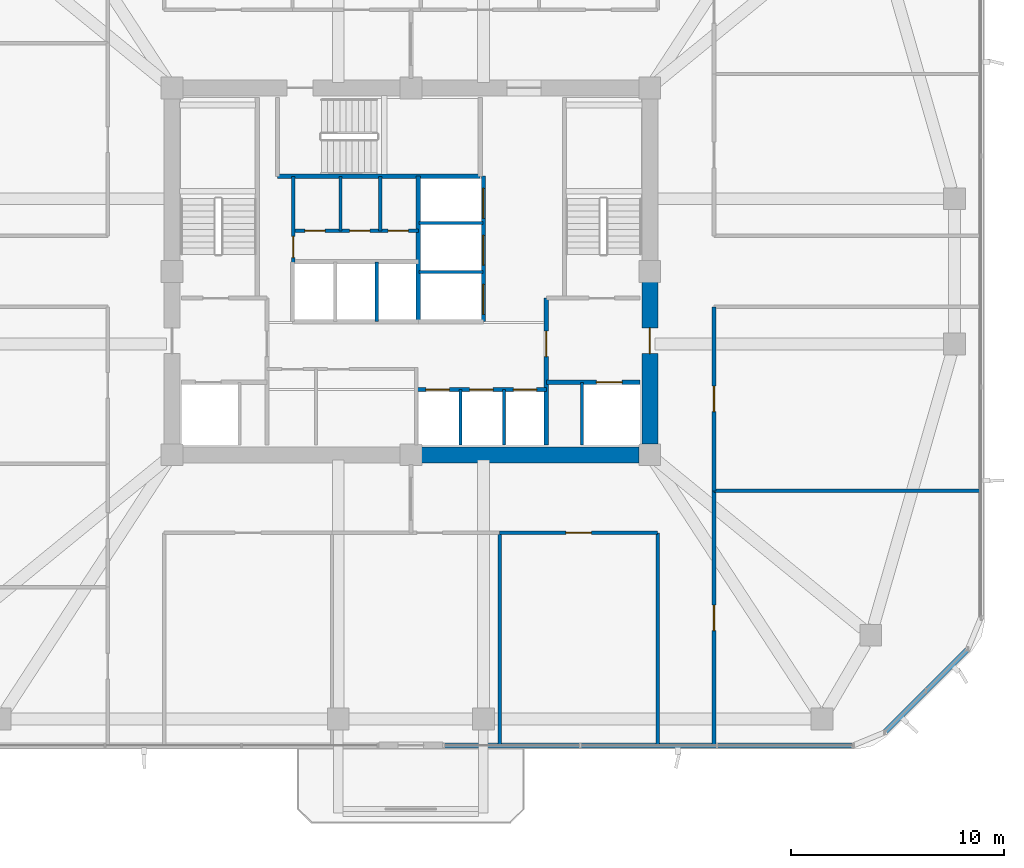
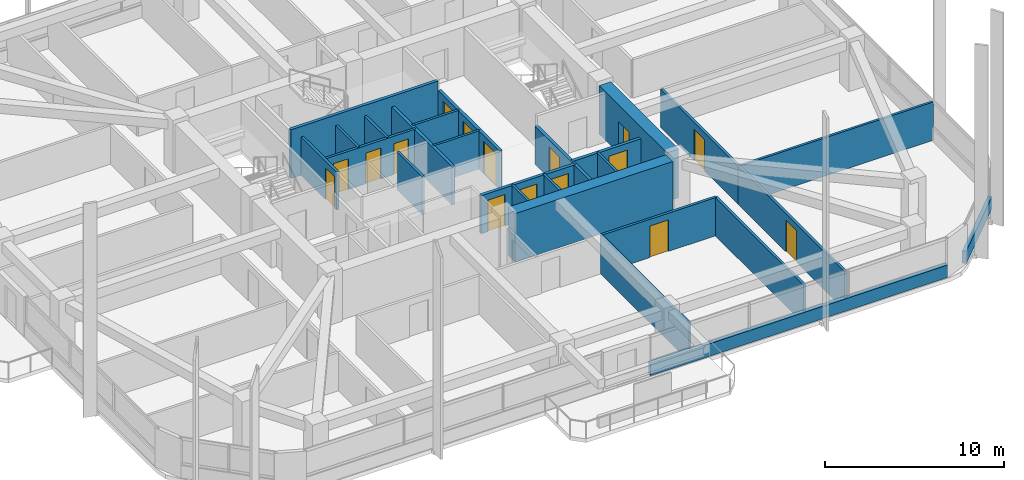
# One storey, part 9 of 15: 26 walls, 16 doors, 16 openings.
"""IFC4 building model written with IfcOpenShell, lengths in metres."""

from ifc_helpers import new_model, si_unit, derived_unit, direction, frame, frame_2d, origin, place, context, subcontext, project, spatial, rectangle, extrude, material, layer, layer_set, type_object, element, fill, save


model = new_model("IFC4")

# Units and contexts
model_context = context("Model", 3, precision=1e-05, world=origin(), true_north=direction((0.0, 1.0)))
body_context = subcontext(model_context, "Body", "Model", "MODEL_VIEW")
ifc_project = project(units=[si_unit("LENGTHUNIT", "METRE"), si_unit("AREAUNIT", "SQUARE_METRE"), si_unit("VOLUMEUNIT", "CUBIC_METRE"), si_unit("PLANEANGLEUNIT", "RADIAN"), si_unit("MASSUNIT", "GRAM", prefix="KILO"), derived_unit("THERMALTRANSMITTANCEUNIT", [(si_unit("POWERUNIT", "WATT"), 1), (si_unit("LENGTHUNIT", "METRE"), -2), (si_unit("THERMODYNAMICTEMPERATUREUNIT", "KELVIN"), -1)])], contexts=[model_context])

# Site, building, storey
site_placement = place(None, origin())
site = spatial("IfcSite", under=ifc_project, at=site_placement, CompositionType="ELEMENT")
building_placement = place(site_placement, origin())
building = spatial("IfcBuilding", under=site, at=building_placement, Name="Koralith Skygarden Medical Center", CompositionType="ELEMENT")
storey_placement = place(building_placement, frame((0.0, 0.0, 84.780029296875)))
storey = spatial("IfcBuildingStorey", under=building, at=storey_placement, Name="L21", CompositionType="ELEMENT", Elevation=84.780029296875)

# Walls
ifc_material_1 = material(Name="Gypsum Board Partition")
ifc_layer_1 = layer(ifc_material_1, 0.14990234375)
ifc_layer_set_1 = layer_set([ifc_layer_1], Name="Gypsum Board Partition")
wall_type_1 = type_object("IfcWallType", Name="Clinical Acoustic Partition 150", PredefinedType="PARTITIONING", material=ifc_layer_set_1)
for number, where, z_axis, x_axis, name in (
    (1, (33.699951171875, 27.800048828125, 0.0), (0.0, 0.0, 1.0), (0.0, 1.0, 0.0), "L21 Clinical Acoustic Partition 150 W-CORE-L21-FLEX-V2A"),
    (2, (35.56005859375, 27.800048828125, 0.0), (0.0, 0.0, 1.0), (0.0, 1.0, 0.0), "L21 Clinical Acoustic Partition 150 W-CORE-L21-FLEX-V2B"),
):
    element("IfcWall", number, at=place(storey_placement, frame(where, z_axis=z_axis, x_axis=x_axis)), inside=storey, type_object=wall_type_1, Name=name, PredefinedType="PARTITIONING", context=body_context, shape_type="SweptSolid", body=[
        extrude(rectangle(XDim=2.56005859375, YDim=0.14990234375, at=frame_2d((1.280029296875, 0.0))), origin(), (0.0, 0.0, 1.0), 2.60986328125),
    ])
wall_1_placement = place(storey_placement, frame((41.162109375, 13.639892578125, 0.0), z_axis=(0.0, 0.0, 1.0), x_axis=(0.0, -1.0, 0.0)))
element("IfcWall", 3, at=wall_1_placement, inside=storey, type_object=wall_type_1, Name="L21 Clinical Acoustic Partition 150 W-PART-L21-S-02", PredefinedType="PARTITIONING", context=body_context, shape_type="SweptSolid", body=[
    extrude(rectangle(XDim=9.93994140625, YDim=0.14990234375, at=frame_2d((4.969970703125, 0.0))), origin(), (0.0, 0.0, 1.0), 2.60986328125),
])
wall_2_placement = place(storey_placement, frame((51.2099609375, 15.613037109375, 0.0), z_axis=(0.0, 0.0, 1.0), x_axis=(1.0, 0.0, 0.0)))
element("IfcWall", 4, at=wall_2_placement, inside=storey, type_object=wall_type_1, Name="L21 Clinical Acoustic Partition 150 W-PART-L21-ES-01", PredefinedType="PARTITIONING", context=body_context, shape_type="SweptSolid", body=[
    extrude(rectangle(XDim=12.489990234375, YDim=0.14990234375, at=frame_2d((6.2451171875, 0.0))), origin(), (0.0, 0.0, 1.0), 2.60986328125),
])
ifc_layer_2 = layer(ifc_material_1, 0.1650390625)
ifc_layer_set_2 = layer_set([ifc_layer_2], Name="Gypsum Board Partition")
wall_type_2 = type_object("IfcWallType", Name="Clinical Corridor Partition 165", PredefinedType="PARTITIONING", material=ifc_layer_set_2)
wall_3_placement = place(storey_placement, frame((48.570068359375, 3.699951171875, 0.0), z_axis=(0.0, 0.0, 1.0), x_axis=(0.0, 1.0, 0.0)))
element("IfcWall", 5, at=wall_3_placement, inside=storey, type_object=wall_type_2, Name="L21 Clinical Corridor Partition 165 W-HCOR-L21-SE", PredefinedType="PARTITIONING", context=body_context, shape_type="SweptSolid", body=[
    extrude(rectangle(XDim=9.93994140625, YDim=0.1650390625, at=frame_2d((4.969970703125, 0.0))), origin(), (0.0, 0.0, 1.0), 2.60986328125),
])

# Wall, opening, door
wall_4_placement = place(storey_placement, frame((41.162109375, 13.639892578125, 0.0), z_axis=(0.0, 0.0, 1.0), x_axis=(1.0, 0.0, 0.0)))
wall_4 = element("IfcWall", 6, at=wall_4_placement, inside=storey, type_object=wall_type_2, Name="L21 Clinical Corridor Partition 165 W-CORR-L21-S-03", PredefinedType="PARTITIONING", context=body_context, shape_type="SweptSolid", body=[
    extrude(rectangle(XDim=7.407958984375, YDim=0.1650390625, at=frame_2d((3.7041015625, 0.0))), origin(), (0.0, 0.0, 1.0), 2.60986328125),
])
opening_1_placement = place(wall_4_placement, frame((3.10400390625, 0.0, 0.0)))
opening_1 = element("IfcOpeningElement", 7, at=opening_1_placement, cuts=wall_4, Name="Opening D-CLN", PredefinedType="OPENING", context=body_context, shape_type="SweptSolid", body=[
    extrude(rectangle(XDim=1.199951171875, YDim=2.14990234375, at=frame_2d((0.60009765625, 1.074951171875))), frame((0.0, 0.092529296875, 0.0), z_axis=(0.0, -1.0, 0.0), x_axis=(1.0, 0.0, 0.0)), (0.0, 0.0, 1.0), 0.18505859375),
])
ifc_material_2 = material(Name="Aluminium 6063-T6", Category="aluminium")
door_type_1 = type_object("IfcDoorType", Name="Clinical Corridor Door D-CLN 1200", OperationType="NOTDEFINED", PredefinedType="DOOR", material=ifc_material_2)
door_1_placement = place(opening_1_placement, frame((1.199951171875, 0.0, 0.0), z_axis=(0.0, 0.0, 1.0), x_axis=(-1.0, 0.0, 0.0)))
door_1 = element("IfcDoor", 8, at=door_1_placement, inside=storey, type_object=door_type_1, Name="L21 Clinical Case Conference Room 07 Door", OperationType="SINGLE_SWING_RIGHT", OverallHeight=2.14990234375, OverallWidth=1.199951171875, PredefinedType="DOOR", context=body_context, shape_type="SweptSolid", body=[
    extrude(rectangle(XDim=1.199951171875, YDim=2.14990234375, at=frame_2d((0.60009765625, 1.074951171875))), frame((0.0, 0.02490234375, 0.0), z_axis=(0.0, -1.0, 0.0), x_axis=(1.0, 0.0, 0.0)), (0.0, 0.0, 1.0), 0.050048828125),
])
fill(opening_1, door_1)

wall_5_placement = place(storey_placement, frame((51.2099609375, 3.699951171875, 0.0), z_axis=(0.0, 0.0, 1.0), x_axis=(0.0, 1.0, 0.0)))
wall_5 = element("IfcWall", 9, at=wall_5_placement, inside=storey, type_object=wall_type_2, Name="L21 Clinical Corridor Partition 165 W-CORR-L21-ES-01", PredefinedType="PARTITIONING", context=body_context, shape_type="SweptSolid", body=[
    extrude(rectangle(XDim=11.9130859375, YDim=0.1650390625, at=frame_2d((5.95654296875, 0.0))), origin(), (0.0, 0.0, 1.0), 2.60986328125),
])
opening_2_placement = place(wall_5_placement, frame((5.35693359375, 0.0, 0.0)))
opening_2 = element("IfcOpeningElement", 10, at=opening_2_placement, cuts=wall_5, Name="Opening D-CLN", PredefinedType="OPENING", context=body_context, shape_type="SweptSolid", body=[
    extrude(rectangle(XDim=1.199951171875, YDim=2.14990234375, at=frame_2d((0.60009765625, 1.074951171875))), frame((0.0, 0.092529296875, 0.0), z_axis=(0.0, -1.0, 0.0), x_axis=(1.0, 0.0, 0.0)), (0.0, 0.0, 1.0), 0.18505859375),
])
door_2_placement = place(opening_2_placement, origin())
door_2 = element("IfcDoor", 11, at=door_2_placement, inside=storey, type_object=door_type_1, Name="L21 Clinical Consultation Office 13 Door", OperationType="SINGLE_SWING_RIGHT", OverallHeight=2.14990234375, OverallWidth=1.199951171875, PredefinedType="DOOR", context=body_context, shape_type="SweptSolid", body=[
    extrude(rectangle(XDim=1.199951171875, YDim=2.14990234375, at=frame_2d((0.60009765625, 1.074951171875))), frame((0.0, 0.02490234375, 0.0), z_axis=(0.0, -1.0, 0.0), x_axis=(1.0, 0.0, 0.0)), (0.0, 0.0, 1.0), 0.050048828125),
])
fill(opening_2, door_2)

wall_6_placement = place(storey_placement, frame((51.2099609375, 15.613037109375, 0.0), z_axis=(0.0, 0.0, 1.0), x_axis=(0.0, 1.0, 0.0)))
wall_6 = element("IfcWall", 12, at=wall_6_placement, inside=storey, type_object=wall_type_2, Name="L21 Clinical Corridor Partition 165 W-CORR-L21-ES-02", PredefinedType="PARTITIONING", context=body_context, shape_type="SweptSolid", body=[
    extrude(rectangle(XDim=8.626953125, YDim=0.1650390625, at=frame_2d((4.3134765625, 0.0))), origin(), (0.0, 0.0, 1.0), 2.60986328125),
])
opening_3_placement = place(wall_6_placement, frame((3.712890625, 0.0, 0.0)))
opening_3 = element("IfcOpeningElement", 13, at=opening_3_placement, cuts=wall_6, Name="Opening D-CLN", PredefinedType="OPENING", context=body_context, shape_type="SweptSolid", body=[
    extrude(rectangle(XDim=1.199951171875, YDim=2.14990234375, at=frame_2d((0.60009765625, 1.074951171875))), frame((0.0, 0.092529296875, 0.0), z_axis=(0.0, -1.0, 0.0), x_axis=(1.0, 0.0, 0.0)), (0.0, 0.0, 1.0), 0.18505859375),
])
door_3_placement = place(opening_3_placement, origin())
door_3 = element("IfcDoor", 14, at=door_3_placement, inside=storey, type_object=door_type_1, Name="L21 Physician Consultation Office 14 Door", OperationType="SINGLE_SWING_LEFT", OverallHeight=2.14990234375, OverallWidth=1.199951171875, PredefinedType="DOOR", context=body_context, shape_type="SweptSolid", body=[
    extrude(rectangle(XDim=1.199951171875, YDim=2.14990234375, at=frame_2d((0.60009765625, 1.074951171875))), frame((0.0, 0.02490234375, 0.0), z_axis=(0.0, -1.0, 0.0), x_axis=(1.0, 0.0, 0.0)), (0.0, 0.0, 1.0), 0.050048828125),
])
fill(opening_3, door_3)

ifc_layer_3 = layer(ifc_material_1, 0.199951171875)
ifc_layer_set_3 = layer_set([ifc_layer_3], Name="Gypsum Board Partition")
wall_type_3 = type_object("IfcWallType", Name="Fire Shaft Wall 200", PredefinedType="SOLIDWALL", material=ifc_layer_set_3)
wall_7_placement = place(storey_placement, frame((43.35009765625, 20.699951171875, 0.0), z_axis=(0.0, 0.0, 1.0), x_axis=(1.0, 0.0, 0.0)))
wall_7 = element("IfcWall", 15, at=wall_7_placement, inside=storey, type_object=wall_type_3, Name="L21 Fire Shaft Wall 200 W-CORE-L21-FF2-N", PredefinedType="SOLIDWALL", context=body_context, shape_type="SweptSolid", body=[
    extrude(rectangle(XDim=4.39990234375, YDim=0.199951171875, at=frame_2d((2.199951171875, 0.0))), origin(), (0.0, 0.0, 1.0), 2.60986328125),
])
opening_4_placement = place(wall_7_placement, frame((2.35009765625, 0.0, 0.0)))
opening_4 = element("IfcOpeningElement", 16, at=opening_4_placement, cuts=wall_7, Name="Opening LD-FF", PredefinedType="OPENING", context=body_context, shape_type="SweptSolid", body=[
    extrude(rectangle(XDim=1.199951171875, YDim=2.14990234375, at=frame_2d((0.60009765625, 1.074951171875))), frame((0.0, 0.10986328125, 0.0), z_axis=(0.0, -1.0, 0.0), x_axis=(1.0, 0.0, 0.0)), (0.0, 0.0, 1.0), 0.219970703125),
])
ifc_material_3 = material(Name="Steel ASTM A500 Grade C", Category="steel")
door_type_2 = type_object("IfcDoorType", Name="Fire Lift Sliding Landing Door LD-FF 1200", OperationType="NOTDEFINED", PredefinedType="DOOR", material=ifc_material_3)
door_4_placement = place(opening_4_placement, origin())
door_4 = element("IfcDoor", 17, at=door_4_placement, inside=storey, type_object=door_type_2, Name="L21 Fire Service Elevator FF2 Landing Door", OperationType="SLIDING_TO_RIGHT", OverallHeight=2.14990234375, OverallWidth=1.199951171875, PredefinedType="DOOR", context=body_context, shape_type="SweptSolid", body=[
    extrude(rectangle(XDim=1.199951171875, YDim=2.14990234375, at=frame_2d((0.60009765625, 1.074951171875))), frame((0.0, 0.02490234375, 0.0), z_axis=(0.0, -1.0, 0.0), x_axis=(1.0, 0.0, 0.0)), (0.0, 0.0, 1.0), 0.050048828125),
])
fill(opening_4, door_4)

wall_8_placement = place(storey_placement, frame((43.35009765625, 17.75, 0.0), z_axis=(0.0, 0.0, 1.0), x_axis=(0.0, 1.0, 0.0)))
wall_8 = element("IfcWall", 18, at=wall_8_placement, inside=storey, type_object=wall_type_3, Name="L21 Fire Shaft Wall 200 W-CORE-L21-FSAEE-W", PredefinedType="SOLIDWALL", context=body_context, shape_type="SweptSolid", body=[
    extrude(rectangle(XDim=6.89990234375, YDim=0.199951171875, at=frame_2d((3.449951171875, 0.0))), origin(), (0.0, 0.0, 1.0), 2.60986328125),
])
opening_5_placement = place(wall_8_placement, frame((4.14990234375, 0.0, 0.0)))
opening_5 = element("IfcOpeningElement", 19, at=opening_5_placement, cuts=wall_8, Name="Opening D-ST60", PredefinedType="OPENING", context=body_context, shape_type="SweptSolid", body=[
    extrude(rectangle(XDim=1.199951171875, YDim=2.14990234375, at=frame_2d((0.60009765625, 1.074951171875))), frame((0.0, 0.10986328125, 0.0), z_axis=(0.0, -1.0, 0.0), x_axis=(1.0, 0.0, 0.0)), (0.0, 0.0, 1.0), 0.219970703125),
])
door_type_3 = type_object("IfcDoorType", Name="Smokeproof Stair Fire Door FD60S 1200", OperationType="NOTDEFINED", PredefinedType="DOOR", material=ifc_material_3)
door_5_placement = place(opening_5_placement, frame((1.199951171875, 0.0, 0.0), z_axis=(0.0, 0.0, 1.0), x_axis=(-1.0, 0.0, 0.0)))
door_5 = element("IfcDoor", 20, at=door_5_placement, inside=storey, type_object=door_type_3, Name="L21 East Firefighting Lobby Inner Fire Door", OperationType="SINGLE_SWING_RIGHT", OverallHeight=2.14990234375, OverallWidth=1.199951171875, PredefinedType="DOOR", context=body_context, shape_type="SweptSolid", body=[
    extrude(rectangle(XDim=1.199951171875, YDim=2.14990234375, at=frame_2d((0.60009765625, 1.074951171875))), frame((0.0, 0.02490234375, 0.0), z_axis=(0.0, -1.0, 0.0), x_axis=(1.0, 0.0, 0.0)), (0.0, 0.0, 1.0), 0.050048828125),
])
fill(opening_5, door_5)

# Wall, openings, doors
wall_9_placement = place(storey_placement, frame((37.25, 20.360107421875, 0.0), z_axis=(0.0, 0.0, 1.0), x_axis=(1.0, 0.0, 0.0)))
wall_9 = element("IfcWall", 21, at=wall_9_placement, inside=storey, type_object=wall_type_3, Name="L21 Fire Shaft Wall 200 W-CORE-L21-PM-N", PredefinedType="SOLIDWALL", context=body_context, shape_type="SweptSolid", body=[
    extrude(rectangle(XDim=6.10009765625, YDim=0.199951171875, at=frame_2d((3.050048828125, 0.0))), origin(), (0.0, 0.0, 1.0), 2.60986328125),
])
opening_6_placement = place(wall_9_placement, frame((0.449951171875, 0.0, 0.0)))
opening_6 = element("IfcOpeningElement", 22, at=opening_6_placement, cuts=wall_9, Name="Opening LD-P", PredefinedType="OPENING", context=body_context, shape_type="SweptSolid", body=[
    extrude(rectangle(XDim=1.10009765625, YDim=2.14990234375, at=frame_2d((0.550048828125, 1.074951171875))), frame((0.0, 0.10986328125, 0.0), z_axis=(0.0, -1.0, 0.0), x_axis=(1.0, 0.0, 0.0)), (0.0, 0.0, 1.0), 0.219970703125),
])
opening_7_placement = place(wall_9_placement, frame((2.5, 0.0, 0.0)))
opening_7 = element("IfcOpeningElement", 23, at=opening_7_placement, cuts=wall_9, Name="Opening LD-P", PredefinedType="OPENING", context=body_context, shape_type="SweptSolid", body=[
    extrude(rectangle(XDim=1.10009765625, YDim=2.14990234375, at=frame_2d((0.550048828125, 1.074951171875))), frame((0.0, 0.10986328125, 0.0), z_axis=(0.0, -1.0, 0.0), x_axis=(1.0, 0.0, 0.0)), (0.0, 0.0, 1.0), 0.219970703125),
])
opening_8_placement = place(wall_9_placement, frame((4.550048828125, 0.0, 0.0)))
opening_8 = element("IfcOpeningElement", 24, at=opening_8_placement, cuts=wall_9, Name="Opening LD-P", PredefinedType="OPENING", context=body_context, shape_type="SweptSolid", body=[
    extrude(rectangle(XDim=1.10009765625, YDim=2.14990234375, at=frame_2d((0.550048828125, 1.074951171875))), frame((0.0, 0.10986328125, 0.0), z_axis=(0.0, -1.0, 0.0), x_axis=(1.0, 0.0, 0.0)), (0.0, 0.0, 1.0), 0.219970703125),
])
door_type_4 = type_object("IfcDoorType", Name="Passenger Lift Sliding Landing Door LD-P 1100", OperationType="NOTDEFINED", PredefinedType="DOOR", material=ifc_material_3)
door_6_placement = place(opening_6_placement, origin())
door_6 = element("IfcDoor", 25, at=door_6_placement, inside=storey, type_object=door_type_4, Name="L21 Passenger Elevator PM1 Landing Door", OperationType="SLIDING_TO_LEFT", OverallHeight=2.14990234375, OverallWidth=1.10009765625, PredefinedType="DOOR", context=body_context, shape_type="SweptSolid", body=[
    extrude(rectangle(XDim=1.10009765625, YDim=2.14990234375, at=frame_2d((0.550048828125, 1.074951171875))), frame((0.0, 0.02490234375, 0.0), z_axis=(0.0, -1.0, 0.0), x_axis=(1.0, 0.0, 0.0)), (0.0, 0.0, 1.0), 0.050048828125),
])
fill(opening_6, door_6)
door_7_placement = place(opening_7_placement, origin())
door_7 = element("IfcDoor", 26, at=door_7_placement, inside=storey, type_object=door_type_4, Name="L21 Passenger Elevator PM2 Landing Door", OperationType="SLIDING_TO_LEFT", OverallHeight=2.14990234375, OverallWidth=1.10009765625, PredefinedType="DOOR", context=body_context, shape_type="SweptSolid", body=[
    extrude(rectangle(XDim=1.10009765625, YDim=2.14990234375, at=frame_2d((0.550048828125, 1.074951171875))), frame((0.0, 0.02490234375, 0.0), z_axis=(0.0, -1.0, 0.0), x_axis=(1.0, 0.0, 0.0)), (0.0, 0.0, 1.0), 0.050048828125),
])
fill(opening_7, door_7)
door_8_placement = place(opening_8_placement, origin())
door_8 = element("IfcDoor", 27, at=door_8_placement, inside=storey, type_object=door_type_4, Name="L21 Passenger Elevator PM3 Landing Door", OperationType="SLIDING_TO_LEFT", OverallHeight=2.14990234375, OverallWidth=1.10009765625, PredefinedType="DOOR", context=body_context, shape_type="SweptSolid", body=[
    extrude(rectangle(XDim=1.10009765625, YDim=2.14990234375, at=frame_2d((0.550048828125, 1.074951171875))), frame((0.0, 0.02490234375, 0.0), z_axis=(0.0, -1.0, 0.0), x_axis=(1.0, 0.0, 0.0)), (0.0, 0.0, 1.0), 0.050048828125),
])
fill(opening_8, door_8)

# Wall
wall_10_placement = place(storey_placement, frame((37.35009765625, 23.5400390625, 0.0), z_axis=(0.0, 0.0, 1.0), x_axis=(0.0, 1.0, 0.0)))
element("IfcWall", 28, at=wall_10_placement, inside=storey, type_object=wall_type_3, Name="L21 Fire Shaft Wall 200 W-CORE-L21-SV-W", PredefinedType="SOLIDWALL", context=body_context, shape_type="SweptSolid", body=[
    extrude(rectangle(XDim=6.820068359375, YDim=0.199951171875, at=frame_2d((3.41015625, 0.0))), origin(), (0.0, 0.0, 1.0), 2.60986328125),
])

# Wall, openings, doors
wall_11_placement = place(storey_placement, frame((40.39990234375, 23.5400390625, 0.0), z_axis=(0.0, 0.0, 1.0), x_axis=(0.0, 1.0, 0.0)))
wall_11 = element("IfcWall", 29, at=wall_11_placement, inside=storey, type_object=wall_type_3, Name="L21 Fire Shaft Wall 200 W-CORE-L21-SV-E", PredefinedType="SOLIDWALL", context=body_context, shape_type="SweptSolid", body=[
    extrude(rectangle(XDim=6.820068359375, YDim=0.199951171875, at=frame_2d((3.41015625, 0.0))), origin(), (0.0, 0.0, 1.0), 2.60986328125),
])
opening_9_placement = place(wall_11_placement, frame((0.35009765625, 0.0, 0.0)))
opening_9 = element("IfcOpeningElement", 30, at=opening_9_placement, cuts=wall_11, Name="Opening LD-SV", PredefinedType="OPENING", context=body_context, shape_type="SweptSolid", body=[
    extrude(rectangle(XDim=1.39990234375, YDim=2.199951171875, at=frame_2d((0.699951171875, 1.10009765625))), frame((0.0, 0.10986328125, 0.0), z_axis=(0.0, -1.0, 0.0), x_axis=(1.0, 0.0, 0.0)), (0.0, 0.0, 1.0), 0.219970703125),
])
opening_10_placement = place(wall_11_placement, frame((2.64990234375, 0.0, 0.0)))
opening_10 = element("IfcOpeningElement", 31, at=opening_10_placement, cuts=wall_11, Name="Opening LD-SV", PredefinedType="OPENING", context=body_context, shape_type="SweptSolid", body=[
    extrude(rectangle(XDim=1.39990234375, YDim=2.199951171875, at=frame_2d((0.699951171875, 1.10009765625))), frame((0.0, 0.10986328125, 0.0), z_axis=(0.0, -1.0, 0.0), x_axis=(1.0, 0.0, 0.0)), (0.0, 0.0, 1.0), 0.219970703125),
])
opening_11_placement = place(wall_11_placement, frame((4.85009765625, 0.0, 0.0)))
opening_11 = element("IfcOpeningElement", 32, at=opening_11_placement, cuts=wall_11, Name="Opening LD-SV", PredefinedType="OPENING", context=body_context, shape_type="SweptSolid", body=[
    extrude(rectangle(XDim=1.39990234375, YDim=2.199951171875, at=frame_2d((0.699951171875, 1.10009765625))), frame((0.0, 0.10986328125, 0.0), z_axis=(0.0, -1.0, 0.0), x_axis=(1.0, 0.0, 0.0)), (0.0, 0.0, 1.0), 0.219970703125),
])
door_type_5 = type_object("IfcDoorType", Name="Bed Lift Sliding Landing Door LD-SV 1400", OperationType="NOTDEFINED", PredefinedType="DOOR", material=ifc_material_3)
door_9_placement = place(opening_9_placement, origin())
door_9 = element("IfcDoor", 33, at=door_9_placement, inside=storey, type_object=door_type_5, Name="L21 Bed Elevator BD1 Landing Door", OperationType="SLIDING_TO_LEFT", OverallHeight=2.199951171875, OverallWidth=1.39990234375, PredefinedType="DOOR", context=body_context, shape_type="SweptSolid", body=[
    extrude(rectangle(XDim=1.39990234375, YDim=2.199951171875, at=frame_2d((0.699951171875, 1.10009765625))), frame((0.0, 0.02490234375, 0.0), z_axis=(0.0, -1.0, 0.0), x_axis=(1.0, 0.0, 0.0)), (0.0, 0.0, 1.0), 0.050048828125),
])
fill(opening_9, door_9)
door_10_placement = place(opening_10_placement, origin())
door_10 = element("IfcDoor", 34, at=door_10_placement, inside=storey, type_object=door_type_5, Name="L21 Service Elevator BD2 Landing Door", OperationType="SLIDING_TO_LEFT", OverallHeight=2.199951171875, OverallWidth=1.39990234375, PredefinedType="DOOR", context=body_context, shape_type="SweptSolid", body=[
    extrude(rectangle(XDim=1.39990234375, YDim=2.199951171875, at=frame_2d((0.699951171875, 1.10009765625))), frame((0.0, 0.02490234375, 0.0), z_axis=(0.0, -1.0, 0.0), x_axis=(1.0, 0.0, 0.0)), (0.0, 0.0, 1.0), 0.050048828125),
])
fill(opening_10, door_10)
door_11_placement = place(opening_11_placement, origin())
door_11 = element("IfcDoor", 35, at=door_11_placement, inside=storey, type_object=door_type_5, Name="L21 Trauma Elevator TR1 Landing Door", OperationType="SLIDING_TO_RIGHT", OverallHeight=2.199951171875, OverallWidth=1.39990234375, PredefinedType="DOOR", context=body_context, shape_type="SweptSolid", body=[
    extrude(rectangle(XDim=1.39990234375, YDim=2.199951171875, at=frame_2d((0.699951171875, 1.10009765625))), frame((0.0, 0.02490234375, 0.0), z_axis=(0.0, -1.0, 0.0), x_axis=(1.0, 0.0, 0.0)), (0.0, 0.0, 1.0), 0.050048828125),
])
fill(opening_11, door_11)

# Walls
ifc_material_4 = material(Name="Warm Oolitic Limestone Cladding", Category="masonry")
ifc_layer_4 = layer(ifc_material_4, 0.239990234375)
ifc_layer_set_4 = layer_set([ifc_layer_4], Name="Warm Oolitic Limestone Cladding")
wall_type_4 = type_object("IfcWallType", Name="Limestone Spandrel Sill Backup Wall 240", PredefinedType="SOLIDWALL", material=ifc_layer_set_4)
wall_12_placement = place(storey_placement, frame((38.5390625, 3.679931640625, 0.0), z_axis=(0.0, 0.0, 1.0), x_axis=(1.0, 0.0, 0.0)))
element("IfcWall", 36, at=wall_12_placement, inside=storey, type_object=wall_type_4, Name="L21 Sill Spandrel S-R", PredefinedType="SOLIDWALL", context=body_context, shape_type="SweptSolid", body=[
    extrude(rectangle(XDim=19.2060546875, YDim=0.239990234375, at=frame_2d((9.60302734375, 0.0))), origin(), (0.0, 0.0, 1.0), 0.849853515625),
])
wall_13_placement = place(storey_placement, frame((59.196044921875, 4.281005859375, 0.0), z_axis=(0.0, 0.0, 1.0), x_axis=(0.707084777957, 0.707128783731, 0.0)))
element("IfcWall", 37, at=wall_13_placement, inside=storey, type_object=wall_type_4, Name="L21 Sill Spandrel SE", PredefinedType="SOLIDWALL", context=body_context, shape_type="SweptSolid", body=[
    extrude(rectangle(XDim=5.5478515625, YDim=0.239990234375, at=frame_2d((2.77392578125, 0.0))), origin(), (0.0, 0.0, 1.0), 0.849853515625),
])
ifc_material_5 = material(Name="Concrete C70/85", Category="concrete")
ifc_layer_5 = layer(ifc_material_5, 0.75)
ifc_layer_set_5 = layer_set([ifc_layer_5], Name="Concrete C70/85")
wall_type_5 = type_object("IfcWallType", Name="Mid Core Shear Wall 750", PredefinedType="SHEAR", material=ifc_layer_set_5)
wall_14_placement = place(storey_placement, frame((37.5048828125, 17.300048828125, 0.0), z_axis=(0.0, 0.0, 1.0), x_axis=(1.0, 0.0, 0.0)))
element("IfcWall", 38, at=wall_14_placement, inside=storey, type_object=wall_type_5, Name="L21 Core Shear Wall Segment 2", PredefinedType="SHEAR", context=body_context, shape_type="SweptSolid", body=[
    extrude(rectangle(XDim=10.190185546875, YDim=0.75, at=frame_2d((5.09521484375, 0.0))), origin(), (0.0, 0.0, 1.0), 3.320068359375),
])

# Wall, opening, door
wall_15_placement = place(storey_placement, frame((48.199951171875, 17.804931640625, 0.0), z_axis=(0.0, 0.0, 1.0), x_axis=(0.0, 1.0, 0.0)))
wall_15 = element("IfcWall", 39, at=wall_15_placement, inside=storey, type_object=wall_type_5, Name="L21 Core Shear Wall Segment 3", PredefinedType="SHEAR", context=body_context, shape_type="SweptSolid", body=[
    extrude(rectangle(XDim=7.590087890625, YDim=0.75, at=frame_2d((3.794921875, 0.0))), origin(), (0.0, 0.0, 1.0), 3.320068359375),
])
opening_12_placement = place(wall_15_placement, frame((4.2451171875, 0.0, 0.0)))
opening_12 = element("IfcOpeningElement", 40, at=opening_12_placement, cuts=wall_15, Name="Opening D-ST60", PredefinedType="OPENING", context=body_context, shape_type="SweptSolid", body=[
    extrude(rectangle(XDim=1.199951171875, YDim=2.14990234375, at=frame_2d((0.60009765625, 1.074951171875))), frame((0.0, 0.385009765625, 0.0), z_axis=(0.0, -1.0, 0.0), x_axis=(1.0, 0.0, 0.0)), (0.0, 0.0, 1.0), 0.77001953125),
])
door_12_placement = place(opening_12_placement, frame((1.199951171875, 0.0, 0.0), z_axis=(0.0, 0.0, 1.0), x_axis=(-1.0, 0.0, 0.0)))
door_12 = element("IfcDoor", 41, at=door_12_placement, inside=storey, type_object=door_type_3, Name="L21 East Corridor to Firefighting Lobby Door", OperationType="SINGLE_SWING_RIGHT", OverallHeight=2.14990234375, OverallWidth=1.199951171875, PredefinedType="DOOR", context=body_context, shape_type="SweptSolid", body=[
    extrude(rectangle(XDim=1.199951171875, YDim=2.14990234375, at=frame_2d((0.60009765625, 1.074951171875))), frame((0.0, 0.02490234375, 0.0), z_axis=(0.0, -1.0, 0.0), x_axis=(1.0, 0.0, 0.0)), (0.0, 0.0, 1.0), 0.050048828125),
])
fill(opening_12, door_12)

ifc_layer_6 = layer(ifc_material_1, 0.1650390625)
ifc_layer_set_6 = layer_set([ifc_layer_6], Name="Gypsum Board Partition")
wall_type_6 = type_object("IfcWallType", Name="Plumbing Wet Wall 165", PredefinedType="PLUMBINGWALL", material=ifc_layer_set_6)
wall_16_placement = place(storey_placement, frame((31.47998046875, 26.320068359375, 0.0), z_axis=(0.0, 0.0, 1.0), x_axis=(0.0, 1.0, 0.0)))
wall_16 = element("IfcWall", 42, at=wall_16_placement, inside=storey, type_object=wall_type_6, Name="L21 Plumbing Wet Wall 165 W-CORE-L21-FLEX-W", PredefinedType="PLUMBINGWALL", context=body_context, shape_type="SweptSolid", body=[
    extrude(rectangle(XDim=4.0400390625, YDim=0.1650390625, at=frame_2d((2.02001953125, 0.0))), origin(), (0.0, 0.0, 1.0), 2.60986328125),
])
opening_13_placement = place(wall_16_placement, frame((0.219970703125, 0.0, 0.0)))
opening_13 = element("IfcOpeningElement", 43, at=opening_13_placement, cuts=wall_16, Name="Opening D-SUP", PredefinedType="OPENING", context=body_context, shape_type="SweptSolid", body=[
    extrude(rectangle(XDim=1.0, YDim=2.14990234375, at=frame_2d((0.5, 1.074951171875))), frame((0.0, 0.092529296875, 0.0), z_axis=(0.0, -1.0, 0.0), x_axis=(1.0, 0.0, 0.0)), (0.0, 0.0, 1.0), 0.18505859375),
])
door_type_6 = type_object("IfcDoorType", Name="Clinical Support Door D-SUP 1000", OperationType="NOTDEFINED", PredefinedType="DOOR", material=ifc_material_2)
door_13_placement = place(opening_13_placement, frame((1.0, 0.0, 0.0), z_axis=(0.0, 0.0, 1.0), x_axis=(-1.0, 0.0, 0.0)))
door_13 = element("IfcDoor", 44, at=door_13_placement, inside=storey, type_object=door_type_6, Name="L21 Core Service Alcove Door", OperationType="SINGLE_SWING_LEFT", OverallHeight=2.14990234375, OverallWidth=1.0, PredefinedType="DOOR", context=body_context, shape_type="SweptSolid", body=[
    extrude(rectangle(XDim=1.0, YDim=2.14990234375, at=frame_2d((0.5, 1.074951171875))), frame((0.0, 0.02490234375, 0.0), z_axis=(0.0, -1.0, 0.0), x_axis=(1.0, 0.0, 0.0)), (0.0, 0.0, 1.0), 0.050048828125),
])
fill(opening_13, door_13)

# Wall, openings, doors
wall_17_placement = place(storey_placement, frame((31.47998046875, 27.800048828125, 0.0), z_axis=(0.0, 0.0, 1.0), x_axis=(1.0, 0.0, 0.0)))
wall_17 = element("IfcWall", 45, at=wall_17_placement, inside=storey, type_object=wall_type_6, Name="L21 Plumbing Wet Wall 165 W-CORE-L21-FLEX-H2", PredefinedType="PLUMBINGWALL", context=body_context, shape_type="SweptSolid", body=[
    extrude(rectangle(XDim=5.8701171875, YDim=0.1650390625, at=frame_2d((2.93505859375, 0.0))), origin(), (0.0, 0.0, 1.0), 2.60986328125),
])
opening_14_placement = place(wall_17_placement, frame((0.550048828125, 0.0, 0.0)))
opening_14 = element("IfcOpeningElement", 46, at=opening_14_placement, cuts=wall_17, Name="Opening D-WC", PredefinedType="OPENING", context=body_context, shape_type="SweptSolid", body=[
    extrude(rectangle(XDim=0.949951171875, YDim=2.10009765625, at=frame_2d((0.47509765625, 1.050048828125))), frame((0.0, 0.092529296875, 0.0), z_axis=(0.0, -1.0, 0.0), x_axis=(1.0, 0.0, 0.0)), (0.0, 0.0, 1.0), 0.18505859375),
])
opening_15_placement = place(wall_17_placement, frame((2.64990234375, 0.0, 0.0)))
opening_15 = element("IfcOpeningElement", 47, at=opening_15_placement, cuts=wall_17, Name="Opening D-WC", PredefinedType="OPENING", context=body_context, shape_type="SweptSolid", body=[
    extrude(rectangle(XDim=0.949951171875, YDim=2.10009765625, at=frame_2d((0.47509765625, 1.050048828125))), frame((0.0, 0.092529296875, 0.0), z_axis=(0.0, -1.0, 0.0), x_axis=(1.0, 0.0, 0.0)), (0.0, 0.0, 1.0), 0.18505859375),
])
opening_16_placement = place(wall_17_placement, frame((4.449951171875, 0.0, 0.0)))
opening_16 = element("IfcOpeningElement", 48, at=opening_16_placement, cuts=wall_17, Name="Opening D-WC", PredefinedType="OPENING", context=body_context, shape_type="SweptSolid", body=[
    extrude(rectangle(XDim=0.949951171875, YDim=2.10009765625, at=frame_2d((0.47509765625, 1.050048828125))), frame((0.0, 0.092529296875, 0.0), z_axis=(0.0, -1.0, 0.0), x_axis=(1.0, 0.0, 0.0)), (0.0, 0.0, 1.0), 0.18505859375),
])
door_type_7 = type_object("IfcDoorType", Name="Accessible Toilet Door D-WC 950", OperationType="NOTDEFINED", PredefinedType="DOOR", material=ifc_material_2)
door_14_placement = place(opening_14_placement, origin())
door_14 = element("IfcDoor", 49, at=door_14_placement, inside=storey, type_object=door_type_7, Name="L21 Core Accessible WC Door", OperationType="SINGLE_SWING_LEFT", OverallHeight=2.10009765625, OverallWidth=0.949951171875, PredefinedType="DOOR", context=body_context, shape_type="SweptSolid", body=[
    extrude(rectangle(XDim=0.949951171875, YDim=2.10009765625, at=frame_2d((0.47509765625, 1.050048828125))), frame((0.0, 0.02490234375, 0.0), z_axis=(0.0, -1.0, 0.0), x_axis=(1.0, 0.0, 0.0)), (0.0, 0.0, 1.0), 0.050048828125),
])
fill(opening_14, door_14)
door_15_placement = place(opening_15_placement, origin())
door_15 = element("IfcDoor", 50, at=door_15_placement, inside=storey, type_object=door_type_7, Name="L21 Soiled Sluice Door", OperationType="SINGLE_SWING_LEFT", OverallHeight=2.10009765625, OverallWidth=0.949951171875, PredefinedType="DOOR", context=body_context, shape_type="SweptSolid", body=[
    extrude(rectangle(XDim=0.949951171875, YDim=2.10009765625, at=frame_2d((0.47509765625, 1.050048828125))), frame((0.0, 0.02490234375, 0.0), z_axis=(0.0, -1.0, 0.0), x_axis=(1.0, 0.0, 0.0)), (0.0, 0.0, 1.0), 0.050048828125),
])
fill(opening_15, door_15)
door_16_placement = place(opening_16_placement, origin())
door_16 = element("IfcDoor", 51, at=door_16_placement, inside=storey, type_object=door_type_7, Name="L21 Clean Linen Store Door", OperationType="SINGLE_SWING_RIGHT", OverallHeight=2.10009765625, OverallWidth=0.949951171875, PredefinedType="DOOR", context=body_context, shape_type="SweptSolid", body=[
    extrude(rectangle(XDim=0.949951171875, YDim=2.10009765625, at=frame_2d((0.47509765625, 1.050048828125))), frame((0.0, 0.02490234375, 0.0), z_axis=(0.0, -1.0, 0.0), x_axis=(1.0, 0.0, 0.0)), (0.0, 0.0, 1.0), 0.050048828125),
])
fill(opening_16, door_16)

# Walls
ifc_layer_7 = layer(ifc_material_1, 0.14990234375)
ifc_layer_set_7 = layer_set([ifc_layer_7], Name="Gypsum Board Partition")
wall_type_7 = type_object("IfcWallType", Name="Shaft Partition Wall 150", PredefinedType="PARTITIONING", material=ifc_layer_set_7)
wall_18_placement = place(storey_placement, frame((45.02001953125, 17.75, 0.0), z_axis=(0.0, 0.0, 1.0), x_axis=(0.0, 1.0, 0.0)))
element("IfcWall", 52, at=wall_18_placement, inside=storey, type_object=wall_type_7, Name="L21 Shaft Partition Wall 150 W-CORE-L21-RSRE-DIV", PredefinedType="PARTITIONING", context=body_context, shape_type="SweptSolid", body=[
    extrude(rectangle(XDim=2.949951171875, YDim=0.14990234375, at=frame_2d((1.47509765625, 0.0))), origin(), (0.0, 0.0, 1.0), 2.60986328125),
])
for number, where, z_axis, x_axis, name in (
    (53, (39.320068359375, 17.75, 0.0), (0.0, 0.0, 1.0), (0.0, 1.0, 0.0), "L21 Shaft Partition Wall 150 W-CORE-L21-PM-D1"),
    (54, (41.3701171875, 17.75, 0.0), (0.0, 0.0, 1.0), (0.0, 1.0, 0.0), "L21 Shaft Partition Wall 150 W-CORE-L21-PM-D2"),
):
    element("IfcWall", number, at=place(storey_placement, frame(where, z_axis=z_axis, x_axis=x_axis)), inside=storey, type_object=wall_type_7, Name=name, PredefinedType="PARTITIONING", context=body_context, shape_type="SweptSolid", body=[
        extrude(rectangle(XDim=2.610107421875, YDim=0.14990234375, at=frame_2d((1.30517578125, 0.0))), origin(), (0.0, 0.0, 1.0), 2.60986328125),
    ])
wall_19_placement = place(storey_placement, frame((35.39990234375, 23.5400390625, 0.0), z_axis=(0.0, 0.0, 1.0), x_axis=(0.0, 1.0, 0.0)))
element("IfcWall", 55, at=wall_19_placement, inside=storey, type_object=wall_type_7, Name="L21 Shaft Partition Wall 150 W-CORE-L21-PH-D2", PredefinedType="PARTITIONING", context=body_context, shape_type="SweptSolid", body=[
    extrude(rectangle(XDim=2.81005859375, YDim=0.14990234375, at=frame_2d((1.405029296875, 0.0))), origin(), (0.0, 0.0, 1.0), 2.60986328125),
])
for number, where, z_axis, x_axis, name in (
    (56, (37.3701171875, 25.8701171875, 0.0), (0.0, 0.0, 1.0), (1.0, 0.0, 0.0), "L21 Shaft Partition Wall 150 W-CORE-L21-SV-D1"),
    (57, (37.3701171875, 28.169921875, 0.0), (0.0, 0.0, 1.0), (1.0, 0.0, 0.0), "L21 Shaft Partition Wall 150 W-CORE-L21-SV-D2"),
):
    element("IfcWall", number, at=place(storey_placement, frame(where, z_axis=z_axis, x_axis=x_axis)), inside=storey, type_object=wall_type_7, Name=name, PredefinedType="PARTITIONING", context=body_context, shape_type="SweptSolid", body=[
        extrude(rectangle(XDim=3.009765625, YDim=0.14990234375, at=frame_2d((1.5048828125, 0.0))), origin(), (0.0, 0.0, 1.0), 2.60986328125),
    ])
ifc_material_6 = material(Name="Concrete C45/55", Category="concrete")
ifc_layer_8 = layer(ifc_material_6, 0.199951171875)
ifc_layer_set_8 = layer_set([ifc_layer_8], Name="Concrete C45/55")
wall_type_8 = type_object("IfcWallType", Name="Structural Stair Shaft Wall 200", PredefinedType="SHEAR", material=ifc_layer_set_8)
wall_20_placement = place(storey_placement, frame((30.75, 30.360107421875, 0.0), z_axis=(0.0, 0.0, 1.0), x_axis=(1.0, 0.0, 0.0)))
element("IfcWall", 58, at=wall_20_placement, inside=storey, type_object=wall_type_8, Name="L21 Structural Stair Shaft Wall 200 W-CORE-L21-ST3-S", PredefinedType="SHEAR", context=body_context, shape_type="SweptSolid", body=[
    extrude(rectangle(XDim=9.5, YDim=0.199951171875, at=frame_2d((4.75, 0.0))), origin(), (0.0, 0.0, 1.0), 3.320068359375),
])

save(model, "model.ifc")
